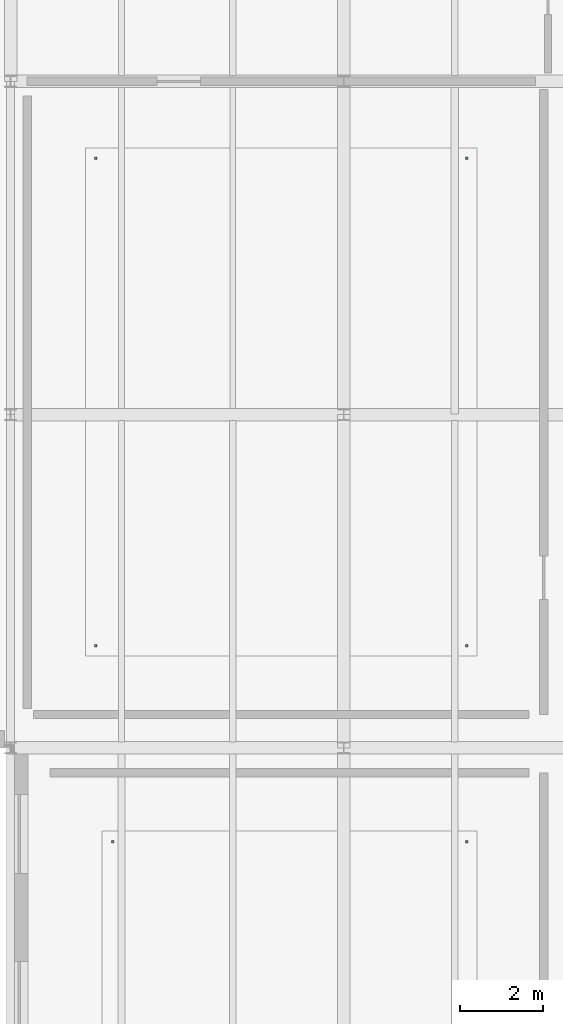
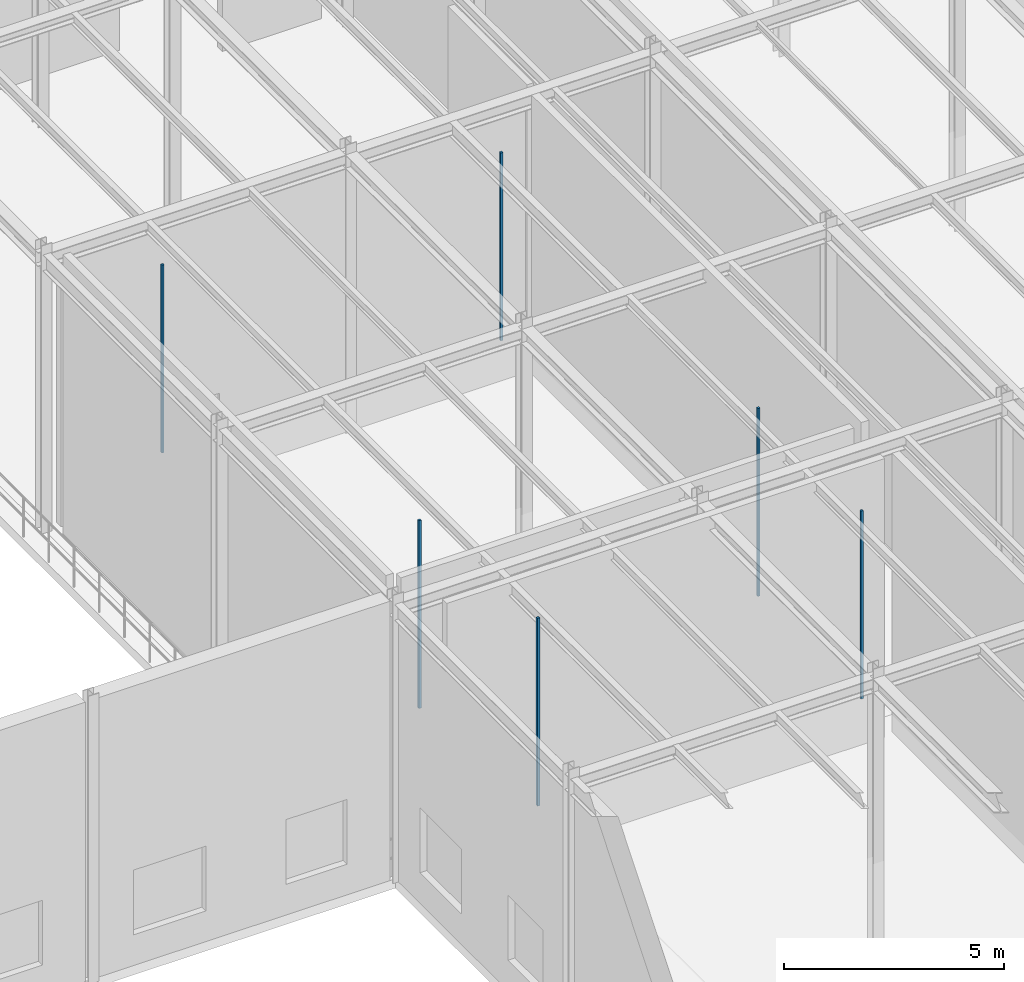
# One storey, part 115 of 138: 6 discrete accessories.
"""IFC4 building model written with IfcOpenShell, lengths in metres."""

from ifc_helpers import new_model, si_unit, direction, frame, origin, origin_2d, place, context, subcontext, project, spatial, rectangle, extrude, material, type_object, element, save


model = new_model("IFC4")

# Units and contexts
model_context = context("Model", 3, precision=1e-05, world=origin(), true_north=direction((0.0, 1.0)))
body_context = subcontext(model_context, "Body", "Model", "MODEL_VIEW")
ifc_project = project(units=[si_unit("LENGTHUNIT", "METRE"), si_unit("AREAUNIT", "SQUARE_METRE"), si_unit("VOLUMEUNIT", "CUBIC_METRE"), si_unit("PLANEANGLEUNIT", "RADIAN"), si_unit("MASSUNIT", "GRAM", prefix="KILO")], contexts=[model_context])

# Site, building, storey
site_placement = place(None, origin())
site = spatial("IfcSite", under=ifc_project, at=site_placement, CompositionType="ELEMENT")
building_placement = place(site_placement, origin())
building = spatial("IfcBuilding", under=site, at=building_placement, Name="Sundkrona Museum", CompositionType="ELEMENT")
storey_placement = place(building_placement, frame((0.0, 0.0, 9.60009765625)))
storey = spatial("IfcBuildingStorey", under=building, at=storey_placement, Name="L02", CompositionType="ELEMENT", Elevation=9.60009765625)

# Discrete accessories
ifc_material = material(Name="Stainless Steel EN 1.4404 Cleat", Category="steel")
discrete_accessory_type = type_object("IfcDiscreteAccessoryType", Name="BRK-FIN-01", PredefinedType="BRACKET", material=ifc_material)
for number, where, z_axis, x_axis, name in (
    (1, (138.050048828125, 80.449951171875, 2.5498046875), (0.0, 0.0, 1.0), (1.0, 0.0, 0.0), "L02 Organic Conservation Laboratory Ceiling Hanger 1"),
    (2, (146.949951171875, 80.449951171875, 2.5498046875), (0.0, 0.0, 1.0), (1.0, 0.0, 0.0), "L02 Organic Conservation Laboratory Ceiling Hanger 2"),
    (3, (146.949951171875, 92.14990234375, 2.5498046875), (0.0, 0.0, 1.0), (1.0, 0.0, 0.0), "L02 Organic Conservation Laboratory Ceiling Hanger 3"),
    (4, (138.050048828125, 92.14990234375, 2.5498046875), (0.0, 0.0, 1.0), (1.0, 0.0, 0.0), "L02 Organic Conservation Laboratory Ceiling Hanger 4"),
    (5, (146.949951171875, 75.75, 2.5498046875), (0.0, 0.0, 1.0), (1.0, 0.0, 0.0), "L02 Specimen Preparation Laboratory Ceiling Hanger 3"),
    (6, (138.449951171875, 75.75, 2.5498046875), (0.0, 0.0, 1.0), (1.0, 0.0, 0.0), "L02 Specimen Preparation Laboratory Ceiling Hanger 4"),
):
    element("IfcDiscreteAccessory", number, at=place(storey_placement, frame(where, z_axis=z_axis, x_axis=x_axis)), inside=storey, type_object=discrete_accessory_type, Name=name, PredefinedType="BRACKET", context=body_context, shape_type="SweptSolid", body=[
        extrude(rectangle(XDim=0.06005859375, YDim=0.06005859375, at=origin_2d()), origin(), (0.0, 0.0, 1.0), 5.219970703125),
    ])

save(model, "model.ifc")
